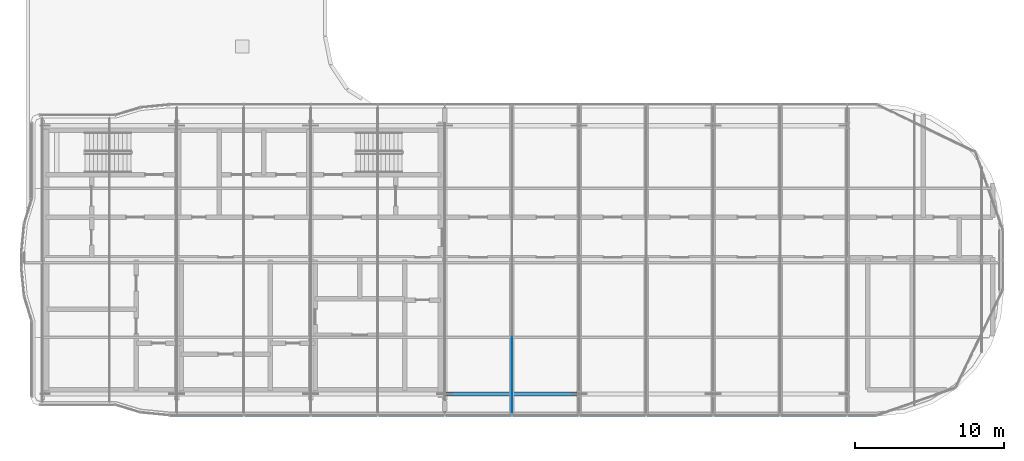
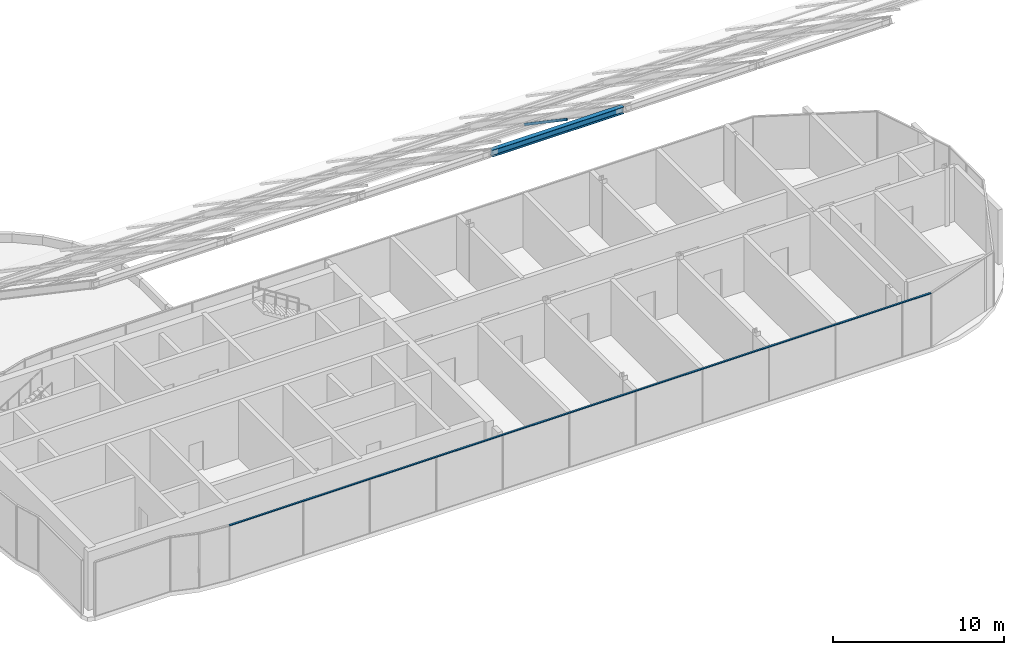
# One storey, part 9 of 25: 3 members, 2 elements without a shape of their own.
"""IFC4 building model written with IfcOpenShell, lengths in metres."""

import ifcopenshell
import ifcopenshell.guid

model = None  # the IFC model being written
_history = None  # IfcOwnerHistory: only IFC2X3 demands one
_inside = {}  # id of a spatial element -> (the spatial element, [elements in it])
_under = {}  # id of a project, library or spatial element -> (it, [spatial elements below it])
_declared = {}  # id of a project -> (the project, [libraries it declares])
_typed = {}  # id of a type object -> (the type object, [elements of that type])
_made_of = {}  # id of a material, layer set ... -> (it, [elements and type objects made of it])


def new_model(schema):
    """Start an empty IFC model of exactly this schema.

    Asked for "IFC4X3", IfcOpenShell would pick the latest addendum, in which some entities
    have other attributes; the version numbers below select the first issue.
    IFC2X3 requires an IfcOwnerHistory on every rooted entity: one is made here for all.
    """
    global model, _history
    if schema == "IFC4X3":
        model = ifcopenshell.file(schema_version=(4, 3, 0, 0))
    else:
        model = ifcopenshell.file(schema=schema)
    _inside.clear()
    _under.clear()
    _declared.clear()
    _typed.clear()
    _made_of.clear()
    _history = None
    if model.schema == "IFC2X3":
        org = make("IfcOrganization", Name="unknown")
        user = make(
            "IfcPersonAndOrganization",
            ThePerson=make("IfcPerson", FamilyName="unknown"),
            TheOrganization=org,
        )
        app = make(
            "IfcApplication",
            ApplicationDeveloper=org,
            Version="unknown",
            ApplicationFullName="unknown",
            ApplicationIdentifier="unknown",
        )
        _history = make(
            "IfcOwnerHistory",
            OwningUser=user,
            OwningApplication=app,
            ChangeAction="ADDED",
            CreationDate=0,
        )
    return model


def make(cls, **values):
    """One entity of the class cls with the attributes given. An attribute that is None is left unset."""
    return model.create_entity(
        cls, **{name: value for name, value in values.items() if value is not None}
    )


def rooted(cls, **values):
    """An entity with a GlobalId (a new one), such as an element, a storey or a relation."""
    return make(cls, GlobalId=ifcopenshell.guid.new(), OwnerHistory=_history, **values)


def si_unit(unit_type, name, prefix=None):
    """IfcSIUnit, for example si_unit("LENGTHUNIT", "METRE", prefix="MILLI")."""
    return make("IfcSIUnit", UnitType=unit_type, Prefix=prefix, Name=name)


def assignment(units):
    """IfcUnitAssignment: the units of a project."""
    return None if units is None else make("IfcUnitAssignment", Units=units)


def point(xyz):
    """IfcCartesianPoint."""
    return None if xyz is None else make("IfcCartesianPoint", Coordinates=xyz)


def direction(xyz):
    """IfcDirection."""
    return None if xyz is None else make("IfcDirection", DirectionRatios=xyz)


def frame(location, z_axis=None, x_axis=None):
    """IfcAxis2Placement3D, a coordinate frame: its origin and axes. An axis left out is left unset."""
    return make(
        "IfcAxis2Placement3D",
        Location=point(location),
        Axis=direction(z_axis),
        RefDirection=direction(x_axis),
    )


def frame_2d(location, x_axis=None):
    """IfcAxis2Placement2D, a coordinate frame in the plane: its origin and x axis."""
    return make(
        "IfcAxis2Placement2D", Location=point(location), RefDirection=direction(x_axis)
    )


def origin():
    """The frame at (0, 0, 0) with its axes left unset."""
    return frame((0.0, 0.0, 0.0))


def origin_2d():
    """The frame at (0, 0) in the plane with its x axis left unset."""
    return frame_2d((0.0, 0.0))


def place(relative_to, where):
    """IfcLocalPlacement: puts the frame where relative to a parent placement (None: the world)."""
    return make(
        "IfcLocalPlacement", PlacementRelTo=relative_to, RelativePlacement=where
    )


def context(
    kind, dimensions, precision=None, world=None, true_north=None, identifier=None
):
    """IfcGeometricRepresentationContext, for example the 3D "Model" context."""
    return make(
        "IfcGeometricRepresentationContext",
        ContextIdentifier=identifier,
        ContextType=kind,
        CoordinateSpaceDimension=dimensions,
        Precision=precision,
        WorldCoordinateSystem=world,
        TrueNorth=true_north,
    )


def subcontext(parent, identifier, kind, view, scale=None):
    """IfcGeometricRepresentationSubContext, for example "Body" below "Model"."""
    return make(
        "IfcGeometricRepresentationSubContext",
        ContextIdentifier=identifier,
        ContextType=kind,
        ParentContext=parent,
        TargetScale=scale,
        TargetView=view,
    )


def project(units=None, contexts=None):
    """IfcProject with its units and contexts."""
    return rooted(
        "IfcProject",
        Name="project",
        RepresentationContexts=contexts,
        UnitsInContext=assignment(units),
    )


def spatial(cls, under=None, at=None, **own):
    """A site, building, storey or space (cls), placed at a placement, below another one or the project."""
    s = rooted(cls, ObjectPlacement=at, **own)
    if under is not None:
        _under.setdefault(under.id(), (under, []))[1].append(s)
    return s


def profile(cls, at=None, kind="AREA", **sizes):
    """A parametric profile (cls). Its sizes go by their IFC names, for example OverallWidth=200.0."""
    return make(cls, ProfileType=kind, Position=at, **sizes)


def rectangle(**sizes):
    """IfcRectangleProfileDef."""
    return profile("IfcRectangleProfileDef", **sizes)


def i_section(**sizes):
    """IfcIShapeProfileDef."""
    return profile("IfcIShapeProfileDef", **sizes)


def extrude(swept, where, along, depth):
    """IfcExtrudedAreaSolid: the profile swept, set in the frame where, extruded along a direction by depth."""
    return make(
        "IfcExtrudedAreaSolid",
        SweptArea=swept,
        Position=where,
        ExtrudedDirection=direction(along),
        Depth=depth,
    )


def shape(context_of_items, identifier, shape_type, items):
    """IfcShapeRepresentation: the items that make up one representation, for example the "Body"."""
    return make(
        "IfcShapeRepresentation",
        ContextOfItems=context_of_items,
        RepresentationIdentifier=identifier,
        RepresentationType=shape_type,
        Items=items,
    )


def material(Name=None, Category=None):
    """IfcMaterial."""
    return make("IfcMaterial", Name=Name, Category=Category)


def material_profile(
    of_material, cross_section, Name=None, Category=None, Priority=None
):
    """IfcMaterialProfile: a cross section and its material."""
    return make(
        "IfcMaterialProfile",
        Name=Name,
        Material=of_material,
        Profile=cross_section,
        Priority=Priority,
        Category=Category,
    )


def profile_set(profiles, Name=None, composite=None):
    """IfcMaterialProfileSet."""
    return make(
        "IfcMaterialProfileSet",
        Name=Name,
        MaterialProfiles=profiles,
        CompositeProfile=composite,
    )


def made_of(thing, what):
    """Note that an element or type object is made of a material, layer set ...; save() writes the relation."""
    if what is not None:
        _made_of.setdefault(what.id(), (what, []))[1].append(thing)
    return thing


def type_object(cls, material=None, **own):
    """A type object (cls), such as IfcWallType, which elements share."""
    return made_of(rooted(cls, **own), material)


def element(
    cls,
    number,
    at=None,
    inside=None,
    cuts=None,
    type_object=None,
    material=None,
    context=None,
    identifier="Body",
    shape_type=None,
    held_by="IfcProductDefinitionShape",
    body=None,
    shapes=None,
    **own,
):
    """One element of the class cls, such as IfcWall. Its Tag is "e" and its number.

    at: its placement. inside: the storey or other place that contains it. cuts: it is an
    opening in that element (IfcRelVoidsElement). A single representation is given by context,
    identifier, shape_type and body (its items); several are given by shapes. held_by: the class
    of the entity that holds the representations. save() writes the other relations.
    """
    e = rooted(cls, Tag="e%d" % number, ObjectPlacement=at, **own)
    if body is not None:
        shapes = [shape(context, identifier, shape_type, body)]
    if shapes is not None:
        e.Representation = make(held_by, Representations=shapes)
    if inside is not None:
        _inside.setdefault(inside.id(), (inside, []))[1].append(e)
    if cuts is not None:
        rooted(
            "IfcRelVoidsElement", RelatingBuildingElement=cuts, RelatedOpeningElement=e
        )
    if type_object is not None:
        _typed.setdefault(type_object.id(), (type_object, []))[1].append(e)
    return made_of(e, material)


def aggregate(whole, parts):
    """IfcRelAggregates: a whole, such as a stair, and the parts it consists of."""
    return rooted("IfcRelAggregates", RelatingObject=whole, RelatedObjects=parts)


def save(model, path):
    """Write the relations noted so far, then the file.

    IfcRelAggregates (storeys below a building ...), IfcRelContainedInSpatialStructure (elements
    in a storey), IfcRelDefinesByType, IfcRelAssociatesMaterial and IfcRelDeclares: one each for
    every whole, place, type object, material and project.
    """
    for whole, parts in _under.values():
        aggregate(whole, parts)
    for where, things in _inside.values():
        rooted(
            "IfcRelContainedInSpatialStructure",
            RelatedElements=things,
            RelatingStructure=where,
        )
    for kind, things in _typed.values():
        rooted("IfcRelDefinesByType", RelatedObjects=things, RelatingType=kind)
    for what, things in _made_of.values():
        rooted("IfcRelAssociatesMaterial", RelatedObjects=things, RelatingMaterial=what)
    for by, libraries in _declared.values():
        rooted("IfcRelDeclares", RelatingContext=by, RelatedDefinitions=libraries)
    model.write(path)


model = new_model("IFC4")

# Units and contexts
model_context = context("Model", 3, precision=1e-05, world=origin(), true_north=direction((0.0, 1.0)))
body_context = subcontext(model_context, "Body", "Model", "MODEL_VIEW")
ifc_project = project(units=[si_unit("LENGTHUNIT", "METRE"), si_unit("AREAUNIT", "SQUARE_METRE"), si_unit("VOLUMEUNIT", "CUBIC_METRE"), si_unit("PLANEANGLEUNIT", "RADIAN"), si_unit("MASSUNIT", "GRAM", prefix="KILO")], contexts=[model_context])

# Site, building, storey
site_placement = place(None, origin())
site = spatial("IfcSite", under=ifc_project, at=site_placement, CompositionType="ELEMENT")
building_placement = place(site_placement, origin())
building = spatial("IfcBuilding", under=site, at=building_placement, Name="Ogive Portal Towers", CompositionType="ELEMENT")
storey_placement = place(building_placement, frame((0.0, 0.0, 272.89990234375)))
storey = spatial("IfcBuildingStorey", under=building, at=storey_placement, Name="L66", CompositionType="ELEMENT", Elevation=272.89990234375)

# Member
ifc_material_1 = material(Name="Steel S355", Category="steel")
ifc_material_profile_1 = material_profile(ifc_material_1, i_section(OverallWidth=0.300048828125, OverallDepth=0.489990234375, WebThickness=0.011962890625, FlangeThickness=0.02294921875, FilletRadius=0.027099609375, at=origin_2d()), Name="HEA 500")
ifc_profile_set_1 = profile_set([ifc_material_profile_1], Name="Steel S355")
member_type_1 = type_object("IfcMemberType", Name="CROWN RIDGE BEAM HEA 500", PredefinedType="STRUT", material=ifc_profile_set_1)
member_1_placement = place(storey_placement, frame((58.550048828125, 21.5, 23.175048828125), z_axis=(1.0, 0.0, 0.0), x_axis=(0.0, 1.0, 0.0)))
element("IfcMember", 1, at=member_1_placement, inside=storey, type_object=member_type_1, Name="Crown ridge", PredefinedType="STRUT", context=body_context, shape_type="SweptSolid", body=[
    extrude(i_section(OverallWidth=0.300048828125, OverallDepth=0.489990234375, WebThickness=0.011962890625, FlangeThickness=0.02294921875, FilletRadius=0.027099609375, at=origin_2d()), origin(), (0.0, 0.0, 1.0), 8.89990234375),
])

# Curtain wall, member
ifc_material_2 = material(Name="Glass, clear low-iron insulated glazing", Category="glass")
curtain_wall_type = type_object("IfcCurtainWallType", Name="CW CROWN GLAZING", PredefinedType="NOTDEFINED", material=ifc_material_2)
curtain_wall_1_placement = place(storey_placement, origin())
curtain_wall_1 = element("IfcCurtainWall", 2, at=curtain_wall_1_placement, inside=storey, type_object=curtain_wall_type, Name="Crown roof glazing 3", PredefinedType="NOTDEFINED")
ifc_material_3 = material(Name="Aluminium 6063 anodised", Category="aluminium")
ifc_material_profile_2 = material_profile(ifc_material_3, rectangle(XDim=0.06005859375, YDim=0.159912109375, at=origin_2d()), Name="AL 60x160 rafter")
ifc_profile_set_2 = profile_set([ifc_material_profile_2], Name="Aluminium 6063 anodised")
member_type_2 = type_object("IfcMemberType", Name="CW ROOF RAFTER 60x160", PredefinedType="MULLION", material=ifc_profile_set_2)
member_2_placement = place(storey_placement, frame((63.0, 20.300048828125, 24.731689453125), z_axis=(0.0, 0.826915237064, -0.562326587236), x_axis=(-1.0, 0.0, 0.0)))
member_2 = element("IfcMember", 3, at=member_2_placement, type_object=member_type_2, Name="roof rafter", PredefinedType="MULLION", context=body_context, shape_type="SweptSolid", body=[
    extrude(rectangle(XDim=0.06005859375, YDim=0.159912109375, at=origin_2d()), origin(), (0.0, 0.0, 1.0), 6.046630859375),
])
aggregate(curtain_wall_1, [member_2])

curtain_wall_2_placement = place(storey_placement, origin())
curtain_wall_2 = element("IfcCurtainWall", 4, at=curtain_wall_2_placement, inside=storey, type_object=curtain_wall_type, Name="A:L66:c06:cw", PredefinedType="NOTDEFINED")
ifc_material_profile_3 = material_profile(ifc_material_3, rectangle(XDim=0.1201171875, YDim=0.06005859375, at=origin_2d()), Name="AL 120x60")
ifc_profile_set_3 = profile_set([ifc_material_profile_3], Name="Aluminium 6063 anodised")
member_type_3 = type_object("IfcMemberType", Name="CW TRANSOM 60x120", PredefinedType="USERDEFINED", material=ifc_profile_set_3)
member_3_placement = place(storey_placement, frame((40.00390625, 20.080078125, 3.8701171875), z_axis=(1.0, 0.0, 0.0), x_axis=(0.0, 1.0, 0.0)))
member_3 = element("IfcMember", 5, at=member_3_placement, type_object=member_type_3, Name="transom", ObjectType="TRANSOM", PredefinedType="USERDEFINED", context=body_context, shape_type="SweptSolid", body=[
    extrude(rectangle(XDim=0.1201171875, YDim=0.06005859375, at=origin_2d()), origin(), (0.0, 0.0, 1.0), 47.482421875),
])
aggregate(curtain_wall_2, [member_3])

save(model, "model.ifc")
